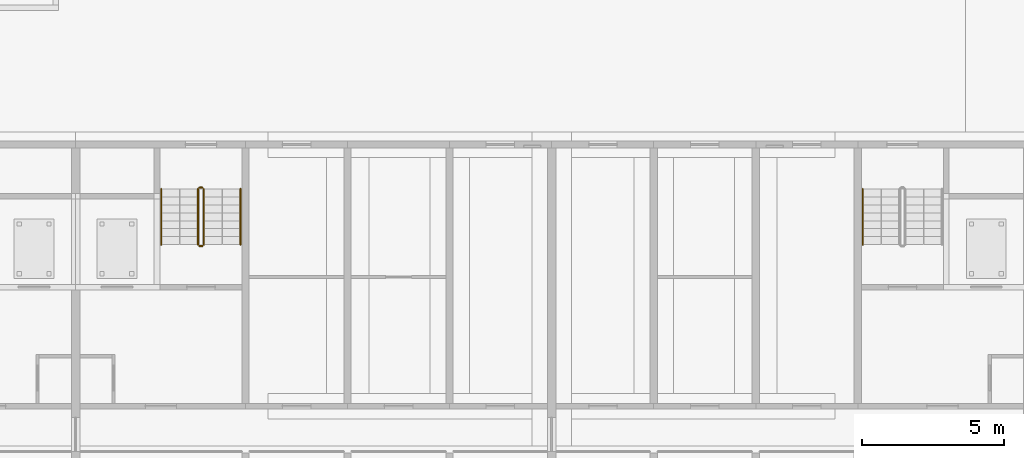
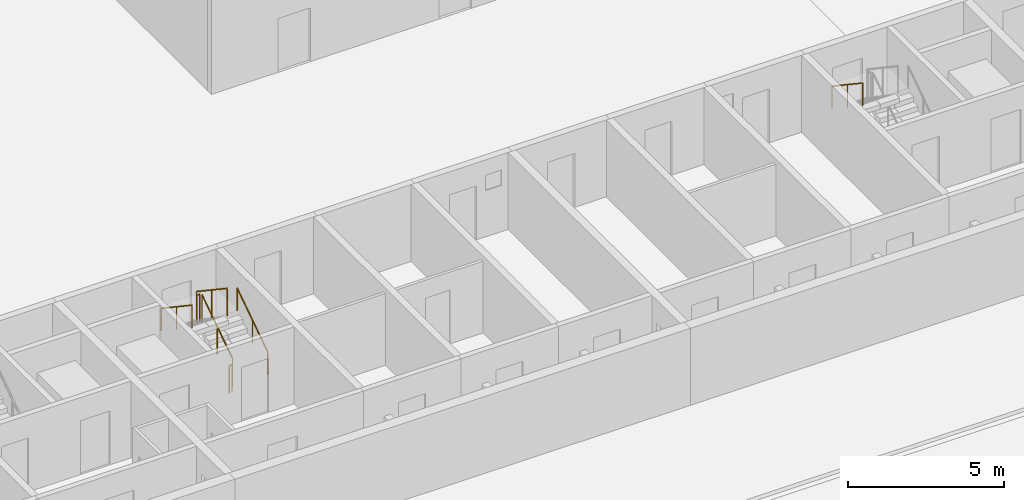
# One storey, part 99 of 112: 7 railings.
"""IFC4 building model written with IfcOpenShell, lengths in metres."""

from ifc_helpers import new_model, si_unit, direction, frame, origin, origin_2d, place, context, subcontext, project, spatial, circle, extrude, material, type_object, element, save


model = new_model("IFC4")

# Units and contexts
model_context = context("Model", 3, precision=1e-05, world=origin(), true_north=direction((0.0, 1.0)))
body_context = subcontext(model_context, "Body", "Model", "MODEL_VIEW")
ifc_project = project(units=[si_unit("LENGTHUNIT", "METRE"), si_unit("AREAUNIT", "SQUARE_METRE"), si_unit("VOLUMEUNIT", "CUBIC_METRE"), si_unit("PLANEANGLEUNIT", "RADIAN"), si_unit("MASSUNIT", "GRAM", prefix="KILO")], contexts=[model_context])

# Site, building, storey
site_placement = place(None, origin())
site = spatial("IfcSite", under=ifc_project, at=site_placement, CompositionType="ELEMENT")
building_placement = place(site_placement, origin())
building = spatial("IfcBuilding", under=site, at=building_placement, Name="Ridgestep Commons", CompositionType="ELEMENT")
storey_placement = place(building_placement, origin())
storey = spatial("IfcBuildingStorey", under=building, at=storey_placement, Name="L00", CompositionType="ELEMENT", Elevation=0.0)

# Railings
ifc_material_1 = material(Name="Structural steel S355JR", Category="steel")
railing_type_1 = type_object("IfcRailingType", Name="Stair guard 1100", PredefinedType="GUARDRAIL", material=ifc_material_1)
railing_1_placement = place(storey_placement, frame((168.125, 19.35009765625, 0.1875)))
element("IfcRailing", 1, at=railing_1_placement, inside=storey, type_object=railing_type_1, Name="L00 D2C stair guard 1", PredefinedType="GUARDRAIL", context=body_context, shape_type="SweptSolid", body=[
    extrude(circle(Radius=0.02392578125, at=origin_2d()), frame((0.0, 0.0, 1.076171875), z_axis=(0.0, 0.830902050051, 0.556418712142), x_axis=(-1.0, 0.0, 0.0)), (0.0, 0.0, 1.0), 2.35888671875),
    extrude(circle(Radius=0.02099609375, at=origin_2d()), origin(), (0.0, 0.0, 1.0), 1.052001953125),
    extrude(circle(Radius=0.02099609375, at=origin_2d()), frame((0.0, 0.97998046875, 0.65625)), (0.0, 0.0, 1.0), 1.052001953125),
    extrude(circle(Radius=0.02099609375, at=origin_2d()), frame((0.0, 1.9599609375, 1.3125)), (0.0, 0.0, 1.0), 1.052001953125),
])
railing_2_placement = place(storey_placement, frame((168.074951171875, 21.360107421875, 1.5)))
element("IfcRailing", 2, at=railing_2_placement, inside=storey, type_object=railing_type_1, Name="L00 D2C stair guard 2", PredefinedType="GUARDRAIL", context=body_context, shape_type="SweptSolid", body=[
    extrude(circle(Radius=0.02392578125, at=origin_2d()), frame((0.0, 0.0, 1.076171875), z_axis=(-1.0, 0.0, 0.0), x_axis=(0.0, -1.0, 0.0)), (0.0, 0.0, 1.0), 0.099853515625),
    extrude(circle(Radius=0.02099609375, at=origin_2d()), origin(), (0.0, 0.0, 1.0), 1.052001953125),
    extrude(circle(Radius=0.02099609375, at=origin_2d()), frame((-0.099853515625, 0.0, 0.0)), (0.0, 0.0, 1.0), 1.052001953125),
])
railing_3_placement = place(storey_placement, frame((167.925048828125, 21.31005859375, 1.6875)))
element("IfcRailing", 3, at=railing_3_placement, inside=storey, type_object=railing_type_1, Name="L00 D2C stair guard 3", PredefinedType="GUARDRAIL", context=body_context, shape_type="SweptSolid", body=[
    extrude(circle(Radius=0.02392578125, at=origin_2d()), frame((0.0, 0.0, 1.076171875), z_axis=(0.0, -0.830902050051, 0.556418712142), x_axis=(1.0, 0.0, 0.0)), (0.0, 0.0, 1.0), 2.35888671875),
    extrude(circle(Radius=0.02099609375, at=origin_2d()), origin(), (0.0, 0.0, 1.0), 1.052001953125),
    extrude(circle(Radius=0.02099609375, at=origin_2d()), frame((0.0, -0.97998046875, 0.65625)), (0.0, 0.0, 1.0), 1.052001953125),
    extrude(circle(Radius=0.02099609375, at=origin_2d()), frame((0.0, -1.9599609375, 1.3125)), (0.0, 0.0, 1.0), 1.052001953125),
])
railing_4_placement = place(storey_placement, frame((168.074951171875, 19.300048828125, 0.0)))
element("IfcRailing", 4, at=railing_4_placement, inside=storey, type_object=railing_type_1, Name="L00 D2C stair guard 4", PredefinedType="GUARDRAIL", context=body_context, shape_type="SweptSolid", body=[
    extrude(circle(Radius=0.02392578125, at=origin_2d()), frame((0.0, 0.0, 1.076171875), z_axis=(-1.0, 0.0, 0.0), x_axis=(0.0, -1.0, 0.0)), (0.0, 0.0, 1.0), 0.099853515625),
    extrude(circle(Radius=0.02099609375, at=origin_2d()), origin(), (0.0, 0.0, 1.0), 1.052001953125),
    extrude(circle(Radius=0.02099609375, at=origin_2d()), frame((-0.099853515625, 0.0, 0.0)), (0.0, 0.0, 1.0), 1.052001953125),
])
ifc_material_2 = material(Name="Structural steel S355JR", Category="steel")
railing_type_2 = type_object("IfcRailingType", Name="Stair handrail 900", PredefinedType="HANDRAIL", material=ifc_material_2)
railing_5_placement = place(storey_placement, frame((169.425048828125, 19.35009765625, 0.1875)))
element("IfcRailing", 5, at=railing_5_placement, inside=storey, type_object=railing_type_2, Name="L00 D2C stair handrail 1", PredefinedType="HANDRAIL", context=body_context, shape_type="SweptSolid", body=[
    extrude(circle(Radius=0.02392578125, at=origin_2d()), frame((0.0, 0.0, 0.8759765625), z_axis=(0.0, 0.830902050051, 0.556418712142), x_axis=(-1.0, 0.0, 0.0)), (0.0, 0.0, 1.0), 2.35888671875),
    extrude(circle(Radius=0.02099609375, at=origin_2d()), origin(), (0.0, 0.0, 1.0), 0.851806640625),
    extrude(circle(Radius=0.02099609375, at=origin_2d()), frame((0.0, 0.97998046875, 0.65625)), (0.0, 0.0, 1.0), 0.851806640625),
    extrude(circle(Radius=0.02099609375, at=origin_2d()), frame((0.0, 1.9599609375, 1.3125)), (0.0, 0.0, 1.0), 0.851806640625),
])
for number, where, name in (
    (6, (166.625, 21.31005859375, 1.6875), "L00 D2C stair handrail 2"),
    (7, (191.375, 21.31005859375, 1.6875), "L00 D3C stair handrail 2"),
):
    element("IfcRailing", number, at=place(storey_placement, frame(where)), inside=storey, type_object=railing_type_2, Name=name, PredefinedType="HANDRAIL", context=body_context, shape_type="SweptSolid", body=[
        extrude(circle(Radius=0.02392578125, at=origin_2d()), frame((0.0, 0.0, 0.8759765625), z_axis=(0.0, -0.830902050051, 0.556418712142), x_axis=(1.0, 0.0, 0.0)), (0.0, 0.0, 1.0), 2.35888671875),
        extrude(circle(Radius=0.02099609375, at=origin_2d()), origin(), (0.0, 0.0, 1.0), 0.851806640625),
        extrude(circle(Radius=0.02099609375, at=origin_2d()), frame((0.0, -0.97998046875, 0.65625)), (0.0, 0.0, 1.0), 0.851806640625),
        extrude(circle(Radius=0.02099609375, at=origin_2d()), frame((0.0, -1.9599609375, 1.3125)), (0.0, 0.0, 1.0), 0.851806640625),
    ])

save(model, "model.ifc")
